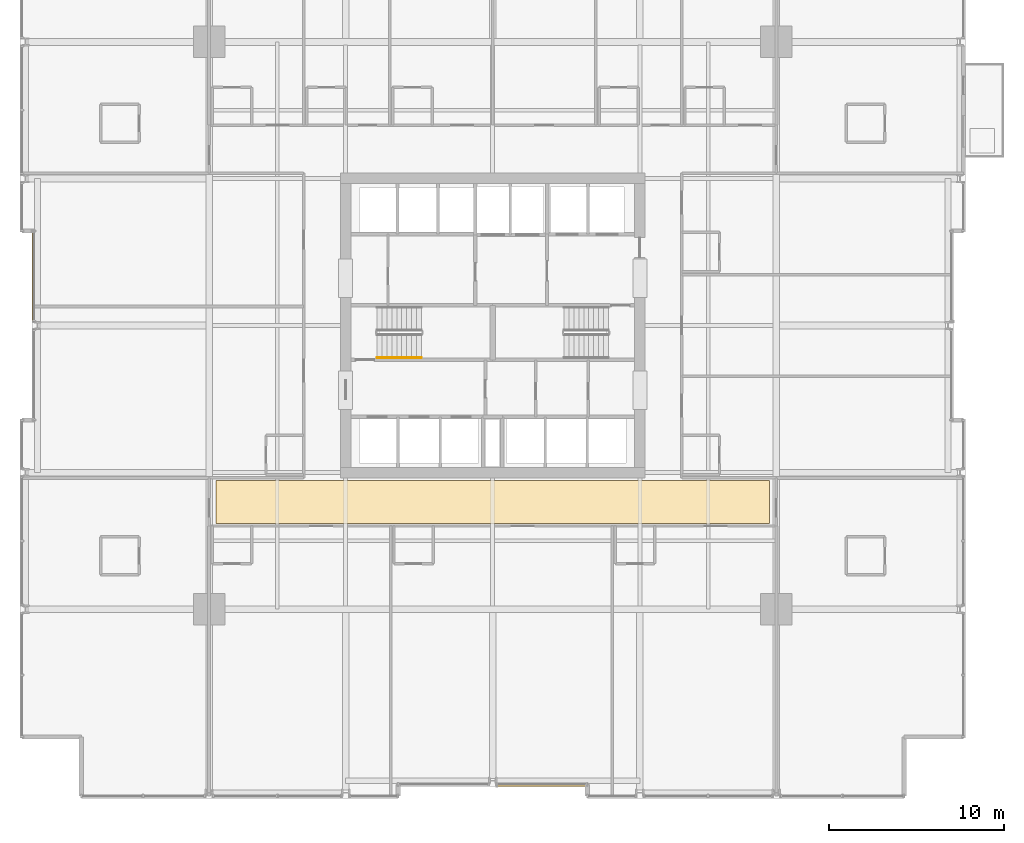
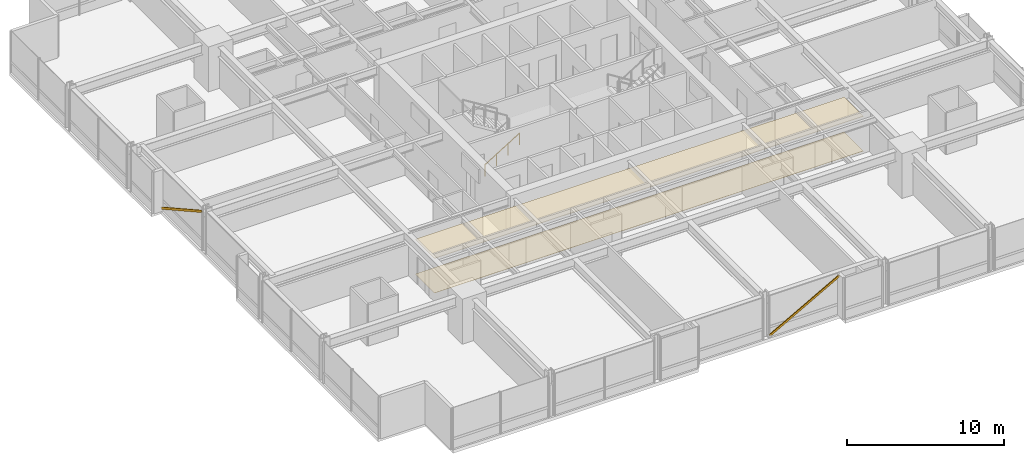
# One storey, part 36 of 38: 2 coverings, 2 shading devices, 1 railing.
"""IFC4 building model written with IfcOpenShell, lengths in metres."""

from ifc_helpers import new_model, si_unit, direction, frame, origin, origin_2d, place, context, subcontext, project, spatial, polyline, hollow_rectangle, circle, outline, extrude, material, layer, layer_set, material_profile, profile_set, type_object, element, save


model = new_model("IFC4")

# Units and contexts
model_context = context("Model", 3, precision=1e-05, world=origin(), true_north=direction((0.0, 1.0)))
body_context = subcontext(model_context, "Body", "Model", "MODEL_VIEW")
ifc_project = project(units=[si_unit("LENGTHUNIT", "METRE"), si_unit("AREAUNIT", "SQUARE_METRE"), si_unit("VOLUMEUNIT", "CUBIC_METRE"), si_unit("PLANEANGLEUNIT", "RADIAN"), si_unit("MASSUNIT", "GRAM", prefix="KILO")], contexts=[model_context])

# Site, building, storey
site_placement = place(None, origin())
site = spatial("IfcSite", under=ifc_project, at=site_placement, CompositionType="ELEMENT")
building_placement = place(site_placement, origin())
building = spatial("IfcBuilding", under=site, at=building_placement, Name="Drelvath Grand Hotel", CompositionType="ELEMENT")
storey_placement = place(building_placement, frame((0.0, 0.0, 64.699951171875)))
storey = spatial("IfcBuildingStorey", under=building, at=storey_placement, Name="L15", CompositionType="ELEMENT", Elevation=64.699951171875)

# Railing
ifc_material_1 = material(Name="Painted Steel S275", Category="steel")
railing_type = type_object("IfcRailingType", Name="Core Stair Wall Handrail 900", PredefinedType="HANDRAIL", material=ifc_material_1)
railing_placement = place(storey_placement, frame((-6.60009765625, 25.169921875, 0.175048828125)))
element("IfcRailing", 1, at=railing_placement, inside=storey, type_object=railing_type, Name="L15 ST-1 stair handrail 1", PredefinedType="HANDRAIL", context=body_context, shape_type="SweptSolid", body=[
    extrude(circle(Radius=0.02392578125, at=origin_2d()), frame((0.0, 0.0, 0.8759765625), z_axis=(0.848007534815, 0.0, 0.529984170421), x_axis=(0.0, 1.0, 0.0)), (0.0, 0.0, 1.0), 2.9716796875),
    extrude(circle(Radius=0.02099609375, at=origin_2d()), origin(), (0.0, 0.0, 1.0), 0.851806640625),
    extrude(circle(Radius=0.02099609375, at=origin_2d()), frame((0.840087890625, 0.0, 0.52490234375)), (0.0, 0.0, 1.0), 0.851806640625),
    extrude(circle(Radius=0.02099609375, at=origin_2d()), frame((1.679931640625, 0.0, 1.050048828125)), (0.0, 0.0, 1.0), 0.851806640625),
    extrude(circle(Radius=0.02099609375, at=origin_2d()), frame((2.52001953125, 0.0, 1.574951171875)), (0.0, 0.0, 1.0), 0.851806640625),
])

# Shading devices
ifc_material_2 = material(Name="Warm Bronze Anodised Aluminium", Category="aluminium")
ifc_material_profile = material_profile(ifc_material_2, hollow_rectangle(XDim=0.06494140625, YDim=0.159912109375, WallThickness=0.00390625, at=origin_2d()), Name="HSS160X65X4")
ifc_profile_set = profile_set([ifc_material_profile], Name="Warm Bronze Anodised Aluminium")
shading_device_type = type_object("IfcShadingDeviceType", Name="Diagonal Solar Fin Warm Bronze Anodised HSS160X65X4", PredefinedType="USERDEFINED", material=ifc_profile_set)
for number, where, z_axis, x_axis, name in (
    (2, (-26.280029296875, 32.39990234375, 0.179931640625), (0.0, -0.873625592273, 0.486598730502), (1.0, 0.0, 0.0), "L15 Diagonal Anodised Fin CW02-L15-WM2"),
    (3, (0.22900390625, 0.719970703125, 0.179931640625), (0.873625592273, 0.0, 0.486598730502), (0.0, 1.0, 0.0), "L15 Diagonal Anodised Fin CW02-L15-SM2"),
):
    element("IfcShadingDevice", number, at=place(storey_placement, frame(where, z_axis=z_axis, x_axis=x_axis)), inside=storey, type_object=shading_device_type, Name=name, ObjectType="FIN", PredefinedType="USERDEFINED", context=body_context, shape_type="SweptSolid", body=[
        extrude(hollow_rectangle(XDim=0.06494140625, YDim=0.159912109375, WallThickness=0.00390625, at=origin_2d()), origin(), (0.0, 0.0, 1.0), 5.9189453125),
    ])

# Coverings
ifc_material_3 = material(Name="Woven Wool Broadloom Carpet")
ifc_layer_1 = layer(ifc_material_3, 0.01806640625)
ifc_layer_set_1 = layer_set([ifc_layer_1], Name="Woven Wool Broadloom Carpet")
covering_type_1 = type_object("IfcCoveringType", Name="Hospitality Broadloom Carpet 18", PredefinedType="FLOORING", material=ifc_layer_set_1)
covering_1_placement = place(storey_placement, origin())
element("IfcCovering", 4, at=covering_1_placement, inside=storey, type_object=covering_type_1, Name="L15 Corridor Broadloom Carpet", PredefinedType="FLOORING", context=body_context, shape_type="SweptSolid", body=[
    extrude(outline(polyline([(15.800048828125, 15.699951171875), (15.800048828125, 18.14990234375), (-15.800048828125, 18.14990234375), (-15.800048828125, 15.699951171875), (15.800048828125, 15.699951171875)])), origin(), (0.0, 0.0, 1.0), 0.01806640625),
])
ifc_material_4 = material(Name="Anodised Aluminium Alloy", Category="aluminium")
ifc_layer_2 = layer(ifc_material_4, 0.0400390625)
ifc_layer_set_2 = layer_set([ifc_layer_2], Name="Anodised Aluminium Alloy")
covering_type_2 = type_object("IfcCoveringType", Name="Perforated Metal Corridor Ceiling 40", PredefinedType="CEILING", material=ifc_layer_set_2)
covering_2_placement = place(storey_placement, frame((0.0, 0.0, 2.68994140625)))
element("IfcCovering", 5, at=covering_2_placement, inside=storey, type_object=covering_type_2, Name="L15 Corridor Acoustic Ceiling", PredefinedType="CEILING", context=body_context, shape_type="SweptSolid", body=[
    extrude(outline(polyline([(15.800048828125, 15.699951171875), (15.800048828125, 18.14990234375), (-15.800048828125, 18.14990234375), (-15.800048828125, 15.699951171875), (15.800048828125, 15.699951171875)])), origin(), (0.0, 0.0, 1.0), 0.0400390625),
])

save(model, "model.ifc")
